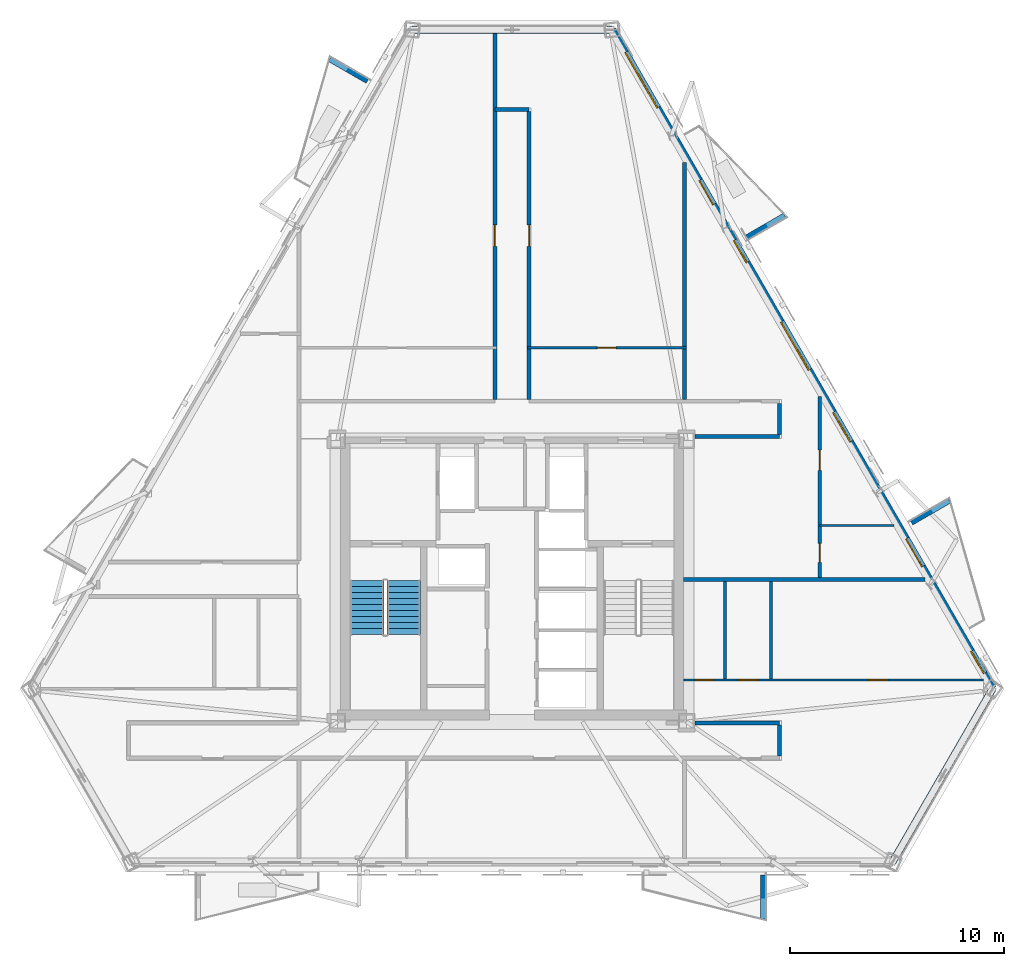
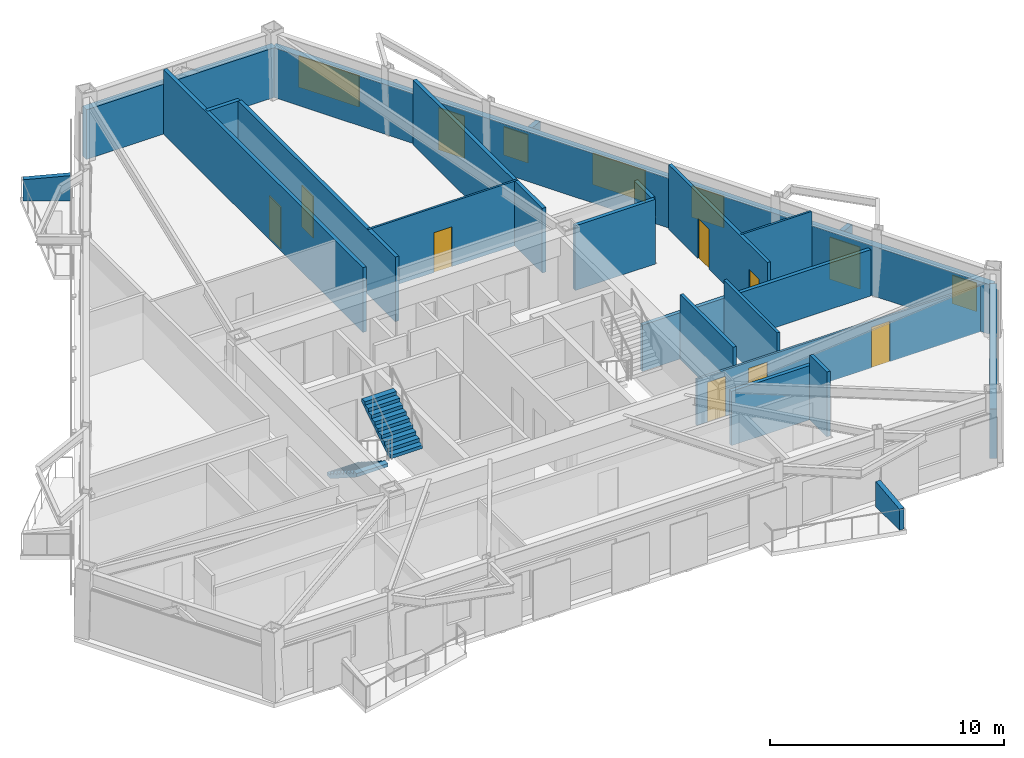
# One storey, part 5 of 9: 22 walls, 10 doors, 5 windows, 2 stair flights, 15 openings, 1 element without a shape of its own.
"""IFC4 building model written with IfcOpenShell, lengths in metres."""

from ifc_helpers import new_model, si_unit, direction, frame, frame_2d, origin, place, context, subcontext, project, spatial, polyline, rectangle, outline, extrude, material, layer, layer_set, type_object, element, fill, aggregate, save


model = new_model("IFC4")

# Units and contexts
model_context = context("Model", 3, precision=1e-05, world=origin(), true_north=direction((0.0, 1.0)))
body_context = subcontext(model_context, "Body", "Model", "MODEL_VIEW")
ifc_project = project(units=[si_unit("LENGTHUNIT", "METRE"), si_unit("AREAUNIT", "SQUARE_METRE"), si_unit("VOLUMEUNIT", "CUBIC_METRE"), si_unit("PLANEANGLEUNIT", "RADIAN"), si_unit("MASSUNIT", "GRAM", prefix="KILO")], contexts=[model_context])

# Site, building, storey
site_placement = place(None, origin())
site = spatial("IfcSite", under=ifc_project, at=site_placement, CompositionType="ELEMENT")
building_placement = place(site_placement, origin())
building = spatial("IfcBuilding", under=site, at=building_placement, Name="Oramaril Tower", CompositionType="ELEMENT")
storey_placement = place(building_placement, frame((0.0, 0.0, 153.0)))
storey = spatial("IfcBuildingStorey", under=building, at=storey_placement, Name="L40", CompositionType="ELEMENT", Elevation=153.0)

# Wall
ifc_material_1 = material(Name="Warm Cream Limestone", Category="masonry")
ifc_layer_1 = layer(ifc_material_1, 0.340087890625)
ifc_layer_set_1 = layer_set([ifc_layer_1], Name="WT-EXT34")
wall_type_1 = type_object("IfcWallType", Name="WT-EXT34", PredefinedType="SOLIDWALL", material=ifc_layer_set_1)
wall_1_placement = place(storey_placement, frame((55.269775390625, 4.43408203125, 0.0), z_axis=(0.0, 0.0, 1.0), x_axis=(0.499991763293, 0.866030159197, 0.0)))
element("IfcWall", 1, at=wall_1_placement, inside=storey, type_object=wall_type_1, Name="L40 Tower Limestone Facade Wall 3M", PredefinedType="SOLIDWALL", context=body_context, shape_type="SweptSolid", body=[
    extrude(rectangle(XDim=9.364501953125, YDim=0.340087890625, at=frame_2d((4.68212890625, 0.0))), origin(), (0.0, 0.0, 1.0), 2.60009765625),
])

# Wall, openings, doors, windows
wall_2_placement = place(storey_placement, frame((59.951904296875, 12.5439453125, 0.0), z_axis=(0.0, 0.0, 1.0), x_axis=(-0.500000946011, 0.866024857604, 0.0)))
wall_2 = element("IfcWall", 2, at=wall_2_placement, inside=storey, type_object=wall_type_1, Name="L40 Tower Limestone Facade Wall 4M", PredefinedType="SOLIDWALL", context=body_context, shape_type="SweptSolid", body=[
    extrude(rectangle(XDim=35.53955078125, YDim=0.340087890625, at=frame_2d((17.769775390625, 0.0))), origin(), (0.0, 0.0, 1.0), 2.60009765625),
])
opening_1_placement = place(wall_2_placement, frame((6.579345703125, 0.0, 0.0)))
opening_1 = element("IfcOpeningElement", 3, at=opening_1_placement, cuts=wall_2, Name="Opening D-L40-BAL-NE1", PredefinedType="OPENING", context=body_context, shape_type="SweptSolid", body=[
    extrude(rectangle(XDim=1.5, YDim=2.199951171875, at=frame_2d((0.75, 1.10009765625))), frame((0.0, 0.169921875, 0.0), z_axis=(0.0, -1.0, 0.0), x_axis=(1.0, 0.0, 0.0)), (0.0, 0.0, 1.0), 0.340087890625),
])
opening_2_placement = place(wall_2_placement, frame((26.105224609375, 0.0, 0.0)))
opening_2 = element("IfcOpeningElement", 4, at=opening_2_placement, cuts=wall_2, Name="Opening D-L40-BAL-NE2", PredefinedType="OPENING", context=body_context, shape_type="SweptSolid", body=[
    extrude(rectangle(XDim=1.300048828125, YDim=2.199951171875, at=frame_2d((0.64990234375, 1.10009765625))), frame((0.0, 0.169921875, 0.0), z_axis=(0.0, -1.0, 0.0), x_axis=(1.0, 0.0, 0.0)), (0.0, 0.0, 1.0), 0.340087890625),
])
opening_3_placement = place(wall_2_placement, frame((0.815673828125, 0.0, 0.85009765625)))
opening_3 = element("IfcOpeningElement", 5, at=opening_3_placement, cuts=wall_2, Name="Opening WN-09", PredefinedType="OPENING", context=body_context, shape_type="SweptSolid", body=[
    extrude(rectangle(XDim=1.199951171875, YDim=1.47998046875, at=frame_2d((0.60009765625, 0.739990234375))), frame((0.0, 0.169921875, 0.0), z_axis=(0.0, -1.0, 0.0), x_axis=(1.0, 0.0, 0.0)), (0.0, 0.0, 1.0), 0.340087890625),
])
opening_4_placement = place(wall_2_placement, frame((17.18115234375, 0.0, 0.85009765625)))
opening_4 = element("IfcOpeningElement", 6, at=opening_4_placement, cuts=wall_2, Name="Opening WN-02", PredefinedType="OPENING", context=body_context, shape_type="SweptSolid", body=[
    extrude(rectangle(XDim=2.60009765625, YDim=1.639892578125, at=frame_2d((1.300048828125, 0.81982421875))), frame((0.0, 0.169921875, 0.0), z_axis=(0.0, -1.0, 0.0), x_axis=(1.0, 0.0, 0.0)), (0.0, 0.0, 1.0), 0.340087890625),
])
opening_5_placement = place(wall_2_placement, frame((22.977783203125, 0.0, 0.85009765625)))
opening_5 = element("IfcOpeningElement", 7, at=opening_5_placement, cuts=wall_2, Name="Opening WN-09", PredefinedType="OPENING", context=body_context, shape_type="SweptSolid", body=[
    extrude(rectangle(XDim=1.199951171875, YDim=1.47998046875, at=frame_2d((0.60009765625, 0.739990234375))), frame((0.0, 0.169921875, 0.0), z_axis=(0.0, -1.0, 0.0), x_axis=(1.0, 0.0, 0.0)), (0.0, 0.0, 1.0), 0.340087890625),
])
opening_6_placement = place(wall_2_placement, frame((13.302978515625, 0.0, 0.85009765625)))
opening_6 = element("IfcOpeningElement", 8, at=opening_6_placement, cuts=wall_2, Name="Opening WN-07", PredefinedType="OPENING", context=body_context, shape_type="SweptSolid", body=[
    extrude(rectangle(XDim=1.60009765625, YDim=1.639892578125, at=frame_2d((0.800048828125, 0.81982421875))), frame((0.0, 0.169921875, 0.0), z_axis=(0.0, -1.0, 0.0), x_axis=(1.0, 0.0, 0.0)), (0.0, 0.0, 1.0), 0.340087890625),
])
opening_7_placement = place(wall_2_placement, frame((31.319580078125, 0.0, 0.85009765625)))
opening_7 = element("IfcOpeningElement", 9, at=opening_7_placement, cuts=wall_2, Name="Opening WN-10", PredefinedType="OPENING", context=body_context, shape_type="SweptSolid", body=[
    extrude(rectangle(XDim=3.0, YDim=1.639892578125, at=frame_2d((1.5, 0.81982421875))), frame((0.0, 0.169921875, 0.0), z_axis=(0.0, -1.0, 0.0), x_axis=(1.0, 0.0, 0.0)), (0.0, 0.0, 1.0), 0.340087890625),
])
ifc_material_2 = material(Name="Anodised Aluminium 6063-T6", Category="aluminium")
door_type_1 = type_object("IfcDoorType", Name="DT-BAL", OperationType="NOTDEFINED", PredefinedType="DOOR", material=ifc_material_2)
door_1_placement = place(opening_1_placement, origin())
door_1 = element("IfcDoor", 10, at=door_1_placement, inside=storey, type_object=door_type_1, Name="L40 Balcony Glazed Door L40-BAL-NE1", OperationType="SINGLE_SWING_LEFT", OverallHeight=2.199951171875, OverallWidth=1.5, PredefinedType="DOOR", context=body_context, shape_type="SweptSolid", body=[
    extrude(rectangle(XDim=1.5, YDim=2.199951171875, at=frame_2d((0.75, 1.10009765625))), frame((0.0, 0.02490234375, 0.0), z_axis=(0.0, -1.0, 0.0), x_axis=(1.0, 0.0, 0.0)), (0.0, 0.0, 1.0), 0.050048828125),
])
fill(opening_1, door_1)
ifc_material_3 = material(Name="Anodised Aluminium 6063-T6", Category="aluminium")
door_type_2 = type_object("IfcDoorType", Name="DT-E2", OperationType="NOTDEFINED", PredefinedType="DOOR", material=ifc_material_3)
door_2_placement = place(opening_2_placement, origin())
door_2 = element("IfcDoor", 11, at=door_2_placement, inside=storey, type_object=door_type_2, Name="L40 Balcony Glazed Door L40-BAL-NE2", OperationType="SINGLE_SWING_RIGHT", OverallHeight=2.199951171875, OverallWidth=1.300048828125, PredefinedType="DOOR", context=body_context, shape_type="SweptSolid", body=[
    extrude(rectangle(XDim=1.300048828125, YDim=2.199951171875, at=frame_2d((0.64990234375, 1.10009765625))), frame((0.0, 0.02490234375, 0.0), z_axis=(0.0, -1.0, 0.0), x_axis=(1.0, 0.0, 0.0)), (0.0, 0.0, 1.0), 0.050048828125),
])
fill(opening_2, door_2)
ifc_material_4 = material(Name="Coastal Low-E Insulated Glass", Category="glass")
window_type_1 = type_object("IfcWindowType", Name="WNT-02", PartitioningType="SINGLE_PANEL", PredefinedType="WINDOW", material=ifc_material_4)
window_1_placement = place(opening_4_placement, origin())
window_1 = element("IfcWindow", 12, at=window_1_placement, inside=storey, type_object=window_type_1, Name="L40 Chicago Bay Window WN-02", OverallHeight=1.639892578125, OverallWidth=2.60009765625, PartitioningType="SINGLE_PANEL", PredefinedType="WINDOW", context=body_context, shape_type="SweptSolid", body=[
    extrude(rectangle(XDim=2.60009765625, YDim=1.639892578125, at=frame_2d((1.300048828125, 0.81982421875))), frame((0.0, 0.030029296875, 0.0), z_axis=(0.0, -1.0, 0.0), x_axis=(1.0, 0.0, 0.0)), (0.0, 0.0, 1.0), 0.06005859375),
])
fill(opening_4, window_1)
ifc_material_5 = material(Name="Coastal Low-E Insulated Glass", Category="glass")
window_type_2 = type_object("IfcWindowType", Name="WNT-07", PartitioningType="SINGLE_PANEL", PredefinedType="WINDOW", material=ifc_material_5)
window_2_placement = place(opening_6_placement, origin())
window_2 = element("IfcWindow", 13, at=window_2_placement, inside=storey, type_object=window_type_2, Name="L40 Chicago Bay Window WN-07", OverallHeight=1.639892578125, OverallWidth=1.60009765625, PartitioningType="SINGLE_PANEL", PredefinedType="WINDOW", context=body_context, shape_type="SweptSolid", body=[
    extrude(rectangle(XDim=1.60009765625, YDim=1.639892578125, at=frame_2d((0.800048828125, 0.81982421875))), frame((0.0, 0.030029296875, 0.0), z_axis=(0.0, -1.0, 0.0), x_axis=(1.0, 0.0, 0.0)), (0.0, 0.0, 1.0), 0.06005859375),
])
fill(opening_6, window_2)
ifc_material_6 = material(Name="Coastal Low-E Insulated Glass", Category="glass")
window_type_3 = type_object("IfcWindowType", Name="WNT-09", PartitioningType="SINGLE_PANEL", PredefinedType="WINDOW", material=ifc_material_6)
window_3_placement = place(opening_3_placement, origin())
window_3 = element("IfcWindow", 14, at=window_3_placement, inside=storey, type_object=window_type_3, Name="L40 Chicago Bay Window WN-09", OverallHeight=1.47998046875, OverallWidth=1.199951171875, PartitioningType="SINGLE_PANEL", PredefinedType="WINDOW", context=body_context, shape_type="SweptSolid", body=[
    extrude(rectangle(XDim=1.199951171875, YDim=1.47998046875, at=frame_2d((0.60009765625, 0.739990234375))), frame((0.0, 0.030029296875, 0.0), z_axis=(0.0, -1.0, 0.0), x_axis=(1.0, 0.0, 0.0)), (0.0, 0.0, 1.0), 0.06005859375),
])
fill(opening_3, window_3)
window_4_placement = place(opening_5_placement, origin())
window_4 = element("IfcWindow", 15, at=window_4_placement, inside=storey, type_object=window_type_3, Name="L40 Chicago Bay Window WN-09", OverallHeight=1.47998046875, OverallWidth=1.199951171875, PartitioningType="SINGLE_PANEL", PredefinedType="WINDOW", context=body_context, shape_type="SweptSolid", body=[
    extrude(rectangle(XDim=1.199951171875, YDim=1.47998046875, at=frame_2d((0.60009765625, 0.739990234375))), frame((0.0, 0.030029296875, 0.0), z_axis=(0.0, -1.0, 0.0), x_axis=(1.0, 0.0, 0.0)), (0.0, 0.0, 1.0), 0.06005859375),
])
fill(opening_5, window_4)
ifc_material_7 = material(Name="Coastal Low-E Insulated Glass", Category="glass")
window_type_4 = type_object("IfcWindowType", Name="WNT-10", PartitioningType="SINGLE_PANEL", PredefinedType="WINDOW", material=ifc_material_7)
window_5_placement = place(opening_7_placement, origin())
window_5 = element("IfcWindow", 16, at=window_5_placement, inside=storey, type_object=window_type_4, Name="L40 Chicago Bay Window WN-10", OverallHeight=1.639892578125, OverallWidth=3.0, PartitioningType="SINGLE_PANEL", PredefinedType="WINDOW", context=body_context, shape_type="SweptSolid", body=[
    extrude(rectangle(XDim=3.0, YDim=1.639892578125, at=frame_2d((1.5, 0.81982421875))), frame((0.0, 0.030029296875, 0.0), z_axis=(0.0, -1.0, 0.0), x_axis=(1.0, 0.0, 0.0)), (0.0, 0.0, 1.0), 0.06005859375),
])
fill(opening_7, window_5)

# Walls
wall_3_placement = place(storey_placement, frame((42.18212890625, 43.322021484375, 0.0), z_axis=(0.0, 0.0, 1.0), x_axis=(-1.0, 0.0, 0.0)))
element("IfcWall", 17, at=wall_3_placement, inside=storey, type_object=wall_type_1, Name="L40 Tower Limestone Facade Wall 5M", PredefinedType="SOLIDWALL", context=body_context, shape_type="SweptSolid", body=[
    extrude(rectangle(XDim=9.3642578125, YDim=0.340087890625, at=frame_2d((4.68212890625, 0.0))), origin(), (0.0, 0.0, 1.0), 2.60009765625),
])
ifc_material_8 = material(Name="Concrete C40/50", Category="concrete")
ifc_layer_2 = layer(ifc_material_8, 0.22998046875)
ifc_layer_set_2 = layer_set([ifc_layer_2], Name="WT-PRP23")
wall_type_2 = type_object("IfcWallType", Name="WT-PRP23", PredefinedType="PARAPET", material=ifc_layer_set_2)
for number, where, z_axis, x_axis, name in (
    (18, (49.23046875, 3.836181640625, 0.0), (0.0, 0.0, 1.0), (0.0, -1.0, 0.0), "L40 Trapezoidal Balcony Frame Cheek L40-BAL-S2-R"),
    (19, (56.167724609375, 20.29443359375, 0.0), (0.0, 0.0, 1.0), (0.866012356593, 0.500022597718, 0.0), "L40 Trapezoidal Balcony Frame Cheek L40-BAL-NE1-R"),
    (20, (48.46484375, 33.63623046875, 0.0), (0.0, 0.0, 1.0), (0.866012356593, 0.500022597718, 0.0), "L40 Trapezoidal Balcony Frame Cheek L40-BAL-NE2-L"),
    (21, (30.74267578125, 40.923828125, 0.0), (0.0, 0.0, 1.0), (-0.866012356593, 0.500022597718, 0.0), "L40 Trapezoidal Balcony Frame Cheek L40-BAL-NW1-L"),
):
    element("IfcWall", number, at=place(storey_placement, frame(where, z_axis=z_axis, x_axis=x_axis)), inside=storey, type_object=wall_type_2, Name=name, PredefinedType="PARAPET", context=body_context, shape_type="SweptSolid", body=[
        extrude(outline(polyline([(0.0, 0.0), (2.0419921875, 0.0), (2.0419921875, 1.10009765625), (0.0, 1.320068359375), (0.0, 0.0)])), frame((0.0, 0.114990234375, 0.0), z_axis=(0.0, -1.0, 0.0), x_axis=(1.0, 0.0, 0.0)), (0.0, 0.0, 1.0), 0.22998046875),
    ])

# Wall, openings, doors
ifc_material_9 = material(Name="Acoustic Gypsum Board Partition")
ifc_layer_3 = layer(ifc_material_9, 0.10009765625)
ifc_layer_set_3 = layer_set([ifc_layer_3], Name="WT-PT10")
wall_type_3 = type_object("IfcWallType", Name="WT-PT10", PredefinedType="PARTITIONING", material=ifc_layer_set_3)
wall_4_placement = place(storey_placement, frame((45.513916015625, 12.949951171875, 0.0), z_axis=(0.0, 0.0, 1.0), x_axis=(1.0, 0.0, 0.0)))
wall_4 = element("IfcWall", 22, at=wall_4_placement, inside=storey, type_object=wall_type_3, Name="L40 Interior Partition PT-10", PredefinedType="PARTITIONING", context=body_context, shape_type="SweptSolid", body=[
    extrude(rectangle(XDim=14.002685546875, YDim=0.10009765625, at=frame_2d((7.00146484375, 0.0))), origin(), (0.0, 0.0, 1.0), 2.419921875),
])
opening_8_placement = place(wall_4_placement, frame((0.535888671875, 0.0, 0.0)))
opening_8 = element("IfcOpeningElement", 23, at=opening_8_placement, cuts=wall_4, Name="Opening D-L40-07", PredefinedType="OPENING", context=body_context, shape_type="SweptSolid", body=[
    extrude(rectangle(XDim=0.8798828125, YDim=2.080078125, at=frame_2d((0.43994140625, 1.0400390625))), frame((0.0, 0.050048828125, 0.0), z_axis=(0.0, -1.0, 0.0), x_axis=(1.0, 0.0, 0.0)), (0.0, 0.0, 1.0), 0.10009765625),
])
opening_9_placement = place(wall_4_placement, frame((2.5380859375, 0.0, 0.0)))
opening_9 = element("IfcOpeningElement", 24, at=opening_9_placement, cuts=wall_4, Name="Opening D-L40-08", PredefinedType="OPENING", context=body_context, shape_type="SweptSolid", body=[
    extrude(rectangle(XDim=0.949951171875, YDim=2.10009765625, at=frame_2d((0.47509765625, 1.050048828125))), frame((0.0, 0.050048828125, 0.0), z_axis=(0.0, -1.0, 0.0), x_axis=(1.0, 0.0, 0.0)), (0.0, 0.0, 1.0), 0.10009765625),
])
opening_10_placement = place(wall_4_placement, frame((8.6162109375, 0.0, 0.0)))
opening_10 = element("IfcOpeningElement", 25, at=opening_10_placement, cuts=wall_4, Name="Opening D-L40-09", PredefinedType="OPENING", context=body_context, shape_type="SweptSolid", body=[
    extrude(rectangle(XDim=0.919921875, YDim=2.1201171875, at=frame_2d((0.4599609375, 1.06005859375))), frame((0.0, 0.050048828125, 0.0), z_axis=(0.0, -1.0, 0.0), x_axis=(1.0, 0.0, 0.0)), (0.0, 0.0, 1.0), 0.10009765625),
])
ifc_material_10 = material(Name="FSC Brazilian Freijo Hardwood", Category="wood")
door_type_3 = type_object("IfcDoorType", Name="DT-BATH", OperationType="NOTDEFINED", PredefinedType="DOOR", material=ifc_material_10)
door_3_placement = place(opening_8_placement, origin())
door_3 = element("IfcDoor", 26, at=door_3_placement, inside=storey, type_object=door_type_3, Name="L40 Flat L40-U4 Bathroom Door D-L40-07", OperationType="SINGLE_SWING_LEFT", OverallHeight=2.080078125, OverallWidth=0.8798828125, PredefinedType="DOOR", context=body_context, shape_type="SweptSolid", body=[
    extrude(rectangle(XDim=0.8798828125, YDim=2.080078125, at=frame_2d((0.43994140625, 1.0400390625))), frame((0.0, 0.02490234375, 0.0), z_axis=(0.0, -1.0, 0.0), x_axis=(1.0, 0.0, 0.0)), (0.0, 0.0, 1.0), 0.050048828125),
])
fill(opening_8, door_3)
ifc_material_11 = material(Name="FSC Brazilian Freijo Hardwood", Category="wood")
door_type_4 = type_object("IfcDoorType", Name="DT-BED", OperationType="NOTDEFINED", PredefinedType="DOOR", material=ifc_material_11)
door_4_placement = place(opening_10_placement, origin())
door_4 = element("IfcDoor", 27, at=door_4_placement, inside=storey, type_object=door_type_4, Name="L40 Flat L40-U4 Master Bedroom Door D-L40-09", OperationType="SINGLE_SWING_LEFT", OverallHeight=2.1201171875, OverallWidth=0.919921875, PredefinedType="DOOR", context=body_context, shape_type="SweptSolid", body=[
    extrude(rectangle(XDim=0.919921875, YDim=2.1201171875, at=frame_2d((0.4599609375, 1.06005859375))), frame((0.0, 0.02490234375, 0.0), z_axis=(0.0, -1.0, 0.0), x_axis=(1.0, 0.0, 0.0)), (0.0, 0.0, 1.0), 0.050048828125),
])
fill(opening_10, door_4)
ifc_material_12 = material(Name="FSC Brazilian Freijo Hardwood", Category="wood")
door_type_5 = type_object("IfcDoorType", Name="DT-STDY", OperationType="NOTDEFINED", PredefinedType="DOOR", material=ifc_material_12)
door_5_placement = place(opening_9_placement, origin())
door_5 = element("IfcDoor", 28, at=door_5_placement, inside=storey, type_object=door_type_5, Name="L40 Flat L40-U4 Kitchen Door D-L40-08", OperationType="SINGLE_SWING_RIGHT", OverallHeight=2.10009765625, OverallWidth=0.949951171875, PredefinedType="DOOR", context=body_context, shape_type="SweptSolid", body=[
    extrude(rectangle(XDim=0.949951171875, YDim=2.10009765625, at=frame_2d((0.47509765625, 1.050048828125))), frame((0.0, 0.02490234375, 0.0), z_axis=(0.0, -1.0, 0.0), x_axis=(1.0, 0.0, 0.0)), (0.0, 0.0, 1.0), 0.050048828125),
])
fill(opening_9, door_5)

# Wall
wall_5_placement = place(storey_placement, frame((51.87158203125, 20.159912109375, 0.0), z_axis=(0.0, 0.0, 1.0), x_axis=(1.0, 0.0, 0.0)))
element("IfcWall", 29, at=wall_5_placement, inside=storey, type_object=wall_type_3, Name="L40 Interior Partition PT-10", PredefinedType="PARTITIONING", context=body_context, shape_type="SweptSolid", body=[
    extrude(rectangle(XDim=3.482421875, YDim=0.10009765625, at=frame_2d((1.7412109375, 0.0))), origin(), (0.0, 0.0, 1.0), 3.3798828125),
])

# Wall, opening, door
wall_6_placement = place(storey_placement, frame((38.218017578125, 28.469970703125, 0.0), z_axis=(0.0, 0.0, 1.0), x_axis=(1.0, 0.0, 0.0)))
wall_6 = element("IfcWall", 30, at=wall_6_placement, inside=storey, type_object=wall_type_3, Name="L40 Interior Partition PT-10", PredefinedType="PARTITIONING", context=body_context, shape_type="SweptSolid", body=[
    extrude(rectangle(XDim=7.424072265625, YDim=0.10009765625, at=frame_2d((3.7119140625, 0.0))), origin(), (0.0, 0.0, 1.0), 3.3798828125),
])
opening_11_placement = place(wall_6_placement, frame((3.27197265625, 0.0, 0.0)))
opening_11 = element("IfcOpeningElement", 31, at=opening_11_placement, cuts=wall_6, Name="Opening D-L40-13", PredefinedType="OPENING", context=body_context, shape_type="SweptSolid", body=[
    extrude(rectangle(XDim=0.8798828125, YDim=2.080078125, at=frame_2d((0.43994140625, 1.0400390625))), frame((0.0, 0.050048828125, 0.0), z_axis=(0.0, -1.0, 0.0), x_axis=(1.0, 0.0, 0.0)), (0.0, 0.0, 1.0), 0.10009765625),
])
door_6_placement = place(opening_11_placement, origin())
door_6 = element("IfcDoor", 32, at=door_6_placement, inside=storey, type_object=door_type_3, Name="L40 Flat L40-U7 Bathroom Door D-L40-13", OperationType="SINGLE_SWING_LEFT", OverallHeight=2.080078125, OverallWidth=0.8798828125, PredefinedType="DOOR", context=body_context, shape_type="SweptSolid", body=[
    extrude(rectangle(XDim=0.8798828125, YDim=2.080078125, at=frame_2d((0.43994140625, 1.0400390625))), frame((0.0, 0.02490234375, 0.0), z_axis=(0.0, -1.0, 0.0), x_axis=(1.0, 0.0, 0.0)), (0.0, 0.0, 1.0), 0.050048828125),
])
fill(opening_11, door_6)

# Walls
ifc_material_13 = material(Name="Acoustic Gypsum Board Partition")
ifc_layer_4 = layer(ifc_material_13, 0.139892578125)
ifc_layer_set_4 = layer_set([ifc_layer_4], Name="WT-PT14")
wall_type_4 = type_object("IfcWallType", Name="WT-PT14", PredefinedType="PARTITIONING", material=ifc_layer_set_4)
wall_7_placement = place(storey_placement, frame((49.60009765625, 13.00390625, 0.0), z_axis=(0.0, 0.0, 1.0), x_axis=(0.0, 1.0, 0.0)))
element("IfcWall", 33, at=wall_7_placement, inside=storey, type_object=wall_type_4, Name="L40 Interior Partition PT-14", PredefinedType="PARTITIONING", context=body_context, shape_type="SweptSolid", body=[
    extrude(rectangle(XDim=4.552001953125, YDim=0.139892578125, at=frame_2d((2.27587890625, 0.0))), origin(), (0.0, 0.0, 1.0), 3.3798828125),
])
ifc_material_14 = material(Name="Acoustic Gypsum Board Partition")
ifc_layer_5 = layer(ifc_material_14, 0.159912109375)
ifc_layer_set_5 = layer_set([ifc_layer_5], Name="WT-PT16")
wall_type_5 = type_object("IfcWallType", Name="WT-PT16", PredefinedType="PARTITIONING", material=ifc_layer_set_5)
wall_8_placement = place(storey_placement, frame((47.449951171875, 13.00390625, 0.0), z_axis=(0.0, 0.0, 1.0), x_axis=(0.0, 1.0, 0.0)))
element("IfcWall", 34, at=wall_8_placement, inside=storey, type_object=wall_type_5, Name="L40 Interior Partition PT-16", PredefinedType="PARTITIONING", context=body_context, shape_type="SweptSolid", body=[
    extrude(rectangle(XDim=4.552001953125, YDim=0.159912109375, at=frame_2d((2.27587890625, 0.0))), origin(), (0.0, 0.0, 1.0), 3.3798828125),
])

# Wall, openings, doors
wall_9_placement = place(storey_placement, frame((51.8701171875, 17.743896484375, 0.0), z_axis=(0.0, 0.0, 1.0), x_axis=(0.0, 1.0, 0.0)))
wall_9 = element("IfcWall", 35, at=wall_9_placement, inside=storey, type_object=wall_type_5, Name="L40 Interior Partition PT-16", PredefinedType="PARTITIONING", context=body_context, shape_type="SweptSolid", body=[
    extrude(rectangle(XDim=8.450439453125, YDim=0.159912109375, at=frame_2d((4.22509765625, 0.0))), origin(), (0.0, 0.0, 1.0), 3.3798828125),
])
opening_12_placement = place(wall_9_placement, frame((0.70703125, 0.0, 0.0)))
opening_12 = element("IfcOpeningElement", 36, at=opening_12_placement, cuts=wall_9, Name="Opening D-L40-18", PredefinedType="OPENING", context=body_context, shape_type="SweptSolid", body=[
    extrude(rectangle(XDim=0.8798828125, YDim=2.080078125, at=frame_2d((0.43994140625, 1.0400390625))), frame((0.0, 0.080078125, 0.0), z_axis=(0.0, -1.0, 0.0), x_axis=(1.0, 0.0, 0.0)), (0.0, 0.0, 1.0), 0.159912109375),
])
opening_13_placement = place(wall_9_placement, frame((4.996826171875, 0.0, 0.0)))
opening_13 = element("IfcOpeningElement", 37, at=opening_13_placement, cuts=wall_9, Name="Opening D-L40-19", PredefinedType="OPENING", context=body_context, shape_type="SweptSolid", body=[
    extrude(rectangle(XDim=0.949951171875, YDim=2.10009765625, at=frame_2d((0.47509765625, 1.050048828125))), frame((0.0, 0.080078125, 0.0), z_axis=(0.0, -1.0, 0.0), x_axis=(1.0, 0.0, 0.0)), (0.0, 0.0, 1.0), 0.159912109375),
])
door_7_placement = place(opening_12_placement, origin())
door_7 = element("IfcDoor", 38, at=door_7_placement, inside=storey, type_object=door_type_3, Name="L40 Flat L40-U5 Bathroom Door D-L40-18", OperationType="SINGLE_SWING_RIGHT", OverallHeight=2.080078125, OverallWidth=0.8798828125, PredefinedType="DOOR", context=body_context, shape_type="SweptSolid", body=[
    extrude(rectangle(XDim=0.8798828125, YDim=2.080078125, at=frame_2d((0.43994140625, 1.0400390625))), frame((0.0, 0.02490234375, 0.0), z_axis=(0.0, -1.0, 0.0), x_axis=(1.0, 0.0, 0.0)), (0.0, 0.0, 1.0), 0.050048828125),
])
fill(opening_12, door_7)
door_8_placement = place(opening_13_placement, origin())
door_8 = element("IfcDoor", 39, at=door_8_placement, inside=storey, type_object=door_type_5, Name="L40 Flat L40-U5 Kitchen Door D-L40-19", OperationType="SINGLE_SWING_LEFT", OverallHeight=2.10009765625, OverallWidth=0.949951171875, PredefinedType="DOOR", context=body_context, shape_type="SweptSolid", body=[
    extrude(rectangle(XDim=0.949951171875, YDim=2.10009765625, at=frame_2d((0.47509765625, 1.050048828125))), frame((0.0, 0.02490234375, 0.0), z_axis=(0.0, -1.0, 0.0), x_axis=(1.0, 0.0, 0.0)), (0.0, 0.0, 1.0), 0.050048828125),
])
fill(opening_13, door_8)

# Walls
ifc_material_15 = material(Name="Autoclaved Cellular Concrete Block", Category="concrete")
ifc_layer_6 = layer(ifc_material_15, 0.179931640625)
ifc_layer_set_6 = layer_set([ifc_layer_6], Name="WT-PT18")
wall_type_6 = type_object("IfcWallType", Name="WT-PT18", PredefinedType="PARTITIONING", material=ifc_layer_set_6)
wall_10_placement = place(storey_placement, frame((46.0400390625, 10.949951171875, 0.0), z_axis=(0.0, 0.0, 1.0), x_axis=(1.0, 0.0, 0.0)))
element("IfcWall", 40, at=wall_10_placement, inside=storey, type_object=wall_type_6, Name="L40 Interior Partition PT-18", PredefinedType="PARTITIONING", context=body_context, shape_type="SweptSolid", body=[
    extrude(rectangle(XDim=3.9599609375, YDim=0.179931640625, at=frame_2d((1.97998046875, 0.0))), origin(), (0.0, 0.0, 1.0), 2.842041015625),
])
wall_11_placement = place(storey_placement, frame((45.513916015625, 17.64990234375, 0.0), z_axis=(0.0, 0.0, 1.0), x_axis=(1.0, 0.0, 0.0)))
element("IfcWall", 41, at=wall_11_placement, inside=storey, type_object=wall_type_6, Name="L40 Interior Partition PT-18", PredefinedType="PARTITIONING", context=body_context, shape_type="SweptSolid", body=[
    extrude(rectangle(XDim=11.2890625, YDim=0.179931640625, at=frame_2d((5.64453125, 0.0))), origin(), (0.0, 0.0, 1.0), 2.419921875),
])
wall_12_placement = place(storey_placement, frame((46.0400390625, 24.320068359375, 0.0), z_axis=(0.0, 0.0, 1.0), x_axis=(1.0, 0.0, 0.0)))
element("IfcWall", 42, at=wall_12_placement, inside=storey, type_object=wall_type_6, Name="L40 Interior Partition PT-18", PredefinedType="PARTITIONING", context=body_context, shape_type="SweptSolid", body=[
    extrude(rectangle(XDim=3.9599609375, YDim=0.179931640625, at=frame_2d((1.97998046875, 0.0))), origin(), (0.0, 0.0, 1.0), 3.3798828125),
])
wall_13_placement = place(storey_placement, frame((36.699951171875, 39.60009765625, 0.0), z_axis=(0.0, 0.0, 1.0), x_axis=(1.0, 0.0, 0.0)))
element("IfcWall", 43, at=wall_13_placement, inside=storey, type_object=wall_type_6, Name="L40 Interior Partition PT-18", PredefinedType="PARTITIONING", context=body_context, shape_type="SweptSolid", body=[
    extrude(rectangle(XDim=1.60009765625, YDim=0.179931640625, at=frame_2d((0.800048828125, 0.0))), origin(), (0.0, 0.0, 1.0), 3.3798828125),
])

# Wall, opening, door
wall_14_placement = place(storey_placement, frame((36.699951171875, 26.06396484375, 0.0), z_axis=(0.0, 0.0, 1.0), x_axis=(0.0, 1.0, 0.0)))
wall_14 = element("IfcWall", 44, at=wall_14_placement, inside=storey, type_object=wall_type_6, Name="L40 Interior Partition PT-18", PredefinedType="PARTITIONING", context=body_context, shape_type="SweptSolid", body=[
    extrude(rectangle(XDim=17.084228515625, YDim=0.179931640625, at=frame_2d((8.5419921875, 0.0))), origin(), (0.0, 0.0, 1.0), 3.3798828125),
])
opening_14_placement = place(wall_14_placement, frame((7.14892578125, 0.0, 0.0)))
opening_14 = element("IfcOpeningElement", 45, at=opening_14_placement, cuts=wall_14, Name="Opening D-L40-16", PredefinedType="OPENING", context=body_context, shape_type="SweptSolid", body=[
    extrude(rectangle(XDim=1.0, YDim=2.179931640625, at=frame_2d((0.5, 1.08984375))), frame((0.0, 0.08984375, 0.0), z_axis=(0.0, -1.0, 0.0), x_axis=(1.0, 0.0, 0.0)), (0.0, 0.0, 1.0), 0.179931640625),
])
ifc_material_16 = material(Name="FSC Brazilian Freijo Hardwood", Category="wood")
door_type_6 = type_object("IfcDoorType", Name="DT-APT", OperationType="NOTDEFINED", PredefinedType="DOOR", material=ifc_material_16)
door_9_placement = place(opening_14_placement, origin())
door_9 = element("IfcDoor", 46, at=door_9_placement, inside=storey, type_object=door_type_6, Name="L40 Flat L40-U6 Kitchen and Studio Apartment Door D-L40-16", OperationType="SINGLE_SWING_RIGHT", OverallHeight=2.179931640625, OverallWidth=1.0, PredefinedType="DOOR", context=body_context, shape_type="SweptSolid", body=[
    extrude(rectangle(XDim=1.0, YDim=2.179931640625, at=frame_2d((0.5, 1.08984375))), frame((0.0, 0.02490234375, 0.0), z_axis=(0.0, -1.0, 0.0), x_axis=(1.0, 0.0, 0.0)), (0.0, 0.0, 1.0), 0.050048828125),
])
fill(opening_14, door_9)

wall_15_placement = place(storey_placement, frame((38.300048828125, 26.06396484375, 0.0), z_axis=(0.0, 0.0, 1.0), x_axis=(0.0, 1.0, 0.0)))
wall_15 = element("IfcWall", 47, at=wall_15_placement, inside=storey, type_object=wall_type_6, Name="L40 Interior Partition PT-18", PredefinedType="PARTITIONING", context=body_context, shape_type="SweptSolid", body=[
    extrude(rectangle(XDim=13.442138671875, YDim=0.179931640625, at=frame_2d((6.72119140625, 0.0))), origin(), (0.0, 0.0, 1.0), 3.3798828125),
])
opening_15_placement = place(wall_15_placement, frame((7.14892578125, 0.0, 0.0)))
opening_15 = element("IfcOpeningElement", 48, at=opening_15_placement, cuts=wall_15, Name="Opening D-L40-17", PredefinedType="OPENING", context=body_context, shape_type="SweptSolid", body=[
    extrude(rectangle(XDim=1.0, YDim=2.179931640625, at=frame_2d((0.5, 1.08984375))), frame((0.0, 0.08984375, 0.0), z_axis=(0.0, -1.0, 0.0), x_axis=(1.0, 0.0, 0.0)), (0.0, 0.0, 1.0), 0.179931640625),
])
door_10_placement = place(opening_15_placement, origin())
door_10 = element("IfcDoor", 49, at=door_10_placement, inside=storey, type_object=door_type_6, Name="L40 Flat L40-U7 Kitchen and Studio Apartment Door D-L40-17", OperationType="SINGLE_SWING_LEFT", OverallHeight=2.179931640625, OverallWidth=1.0, PredefinedType="DOOR", context=body_context, shape_type="SweptSolid", body=[
    extrude(rectangle(XDim=1.0, YDim=2.179931640625, at=frame_2d((0.5, 1.08984375))), frame((0.0, 0.02490234375, 0.0), z_axis=(0.0, -1.0, 0.0), x_axis=(1.0, 0.0, 0.0)), (0.0, 0.0, 1.0), 0.050048828125),
])
fill(opening_15, door_10)

# Walls
wall_16_placement = place(storey_placement, frame((45.56005859375, 26.06396484375, 0.0), z_axis=(0.0, 0.0, 1.0), x_axis=(0.0, 1.0, 0.0)))
element("IfcWall", 50, at=wall_16_placement, inside=storey, type_object=wall_type_6, Name="L40 Interior Partition PT-18", PredefinedType="PARTITIONING", context=body_context, shape_type="SweptSolid", body=[
    extrude(rectangle(XDim=11.0595703125, YDim=0.179931640625, at=frame_2d((5.52978515625, 0.0))), origin(), (0.0, 0.0, 1.0), 3.3798828125),
])
for number, where, z_axis, x_axis, name in (
    (51, (50.0, 9.39404296875, 0.0), (0.0, 0.0, 1.0), (0.0, 1.0, 0.0), "L40 Interior Partition PT-18"),
    (52, (50.0, 24.4140625, 0.0), (0.0, 0.0, 1.0), (0.0, 1.0, 0.0), "L40 Interior Partition PT-18"),
):
    element("IfcWall", number, at=place(storey_placement, frame(where, z_axis=z_axis, x_axis=x_axis)), inside=storey, type_object=wall_type_6, Name=name, PredefinedType="PARTITIONING", context=body_context, shape_type="SweptSolid", body=[
        extrude(rectangle(XDim=1.4619140625, YDim=0.179931640625, at=frame_2d((0.73095703125, 0.0))), origin(), (0.0, 0.0, 1.0), 3.3798828125),
    ])

# Stair, stair flights
ifc_material_17 = material(Name="Concrete C50/60", Category="concrete")
stair_type = type_object("IfcStairType", Name="STT-DG-3600", PredefinedType="HALF_TURN_STAIR", material=ifc_material_17)
stair_placement = place(storey_placement, origin())
stair = element("IfcStair", 53, at=stair_placement, inside=storey, type_object=stair_type, Name="L40 Protected PFP Exit Stair ST-1", PredefinedType="HALF_TURN_STAIR")
ifc_material_18 = material(Name="Concrete C50/60", Category="concrete")
stair_flight_type = type_object("IfcStairFlightType", Name="SFT-DG-3600", PredefinedType="STRAIGHT", material=ifc_material_18)
stair_flight_1_placement = place(storey_placement, frame((30.72998046875, 17.590087890625, 0.0), z_axis=(0.0, 0.0, 1.0), x_axis=(0.0, -1.0, 0.0)))
stair_flight_1 = element("IfcStairFlight", 54, at=stair_flight_1_placement, type_object=stair_flight_type, Name="ST-1 flight 1", NumberOfRisers=10, NumberOfTreads=9, PredefinedType="STRAIGHT", RiserHeight=0.18, TreadLength=0.28, context=body_context, shape_type="SweptSolid", body=[
    extrude(outline(polyline([(0.0, 0.0), (0.0, 0.179931640625), (0.280029296875, 0.179931640625), (0.280029296875, 0.360107421875), (0.56005859375, 0.360107421875), (0.56005859375, 0.5400390625), (0.840087890625, 0.5400390625), (0.840087890625, 0.719970703125), (1.1201171875, 0.719970703125), (1.1201171875, 0.89990234375), (1.39990234375, 0.89990234375), (1.39990234375, 1.080078125), (1.679931640625, 1.080078125), (1.679931640625, 1.260009765625), (1.9599609375, 1.260009765625), (1.9599609375, 1.43994140625), (2.239990234375, 1.43994140625), (2.239990234375, 1.6201171875), (2.52001953125, 1.6201171875), (2.52001953125, 1.800048828125), (2.52001953125, 1.44189453125), (0.277099609375, 0.0), (0.0, 0.0)])), frame((0.0, 0.780029296875, 0.0), z_axis=(0.0, -1.0, 0.0), x_axis=(1.0, 0.0, 0.0)), (0.0, 0.0, 1.0), 1.56005859375),
])
stair_flight_2_placement = place(storey_placement, frame((32.43994140625, 15.070068359375, 1.800048828125), z_axis=(0.0, 0.0, 1.0), x_axis=(0.0, 1.0, 0.0)))
stair_flight_2 = element("IfcStairFlight", 55, at=stair_flight_2_placement, type_object=stair_flight_type, Name="ST-1 flight 2", NumberOfRisers=10, NumberOfTreads=9, PredefinedType="STRAIGHT", RiserHeight=0.18, TreadLength=0.28, context=body_context, shape_type="SweptSolid", body=[
    extrude(outline(polyline([(0.0, 0.0), (0.0, 0.179931640625), (0.280029296875, 0.179931640625), (0.280029296875, 0.360107421875), (0.56005859375, 0.360107421875), (0.56005859375, 0.5400390625), (0.840087890625, 0.5400390625), (0.840087890625, 0.719970703125), (1.1201171875, 0.719970703125), (1.1201171875, 0.89990234375), (1.39990234375, 0.89990234375), (1.39990234375, 1.080078125), (1.679931640625, 1.080078125), (1.679931640625, 1.260009765625), (1.9599609375, 1.260009765625), (1.9599609375, 1.43994140625), (2.239990234375, 1.43994140625), (2.239990234375, 1.6201171875), (2.52001953125, 1.6201171875), (2.52001953125, 1.800048828125), (2.52001953125, 1.44189453125), (0.277099609375, 0.0), (0.0, 0.0)])), frame((0.0, 0.780029296875, 0.0), z_axis=(0.0, -1.0, 0.0), x_axis=(1.0, 0.0, 0.0)), (0.0, 0.0, 1.0), 1.56005859375),
])
aggregate(stair, [stair_flight_1, stair_flight_2])

save(model, "model.ifc")
